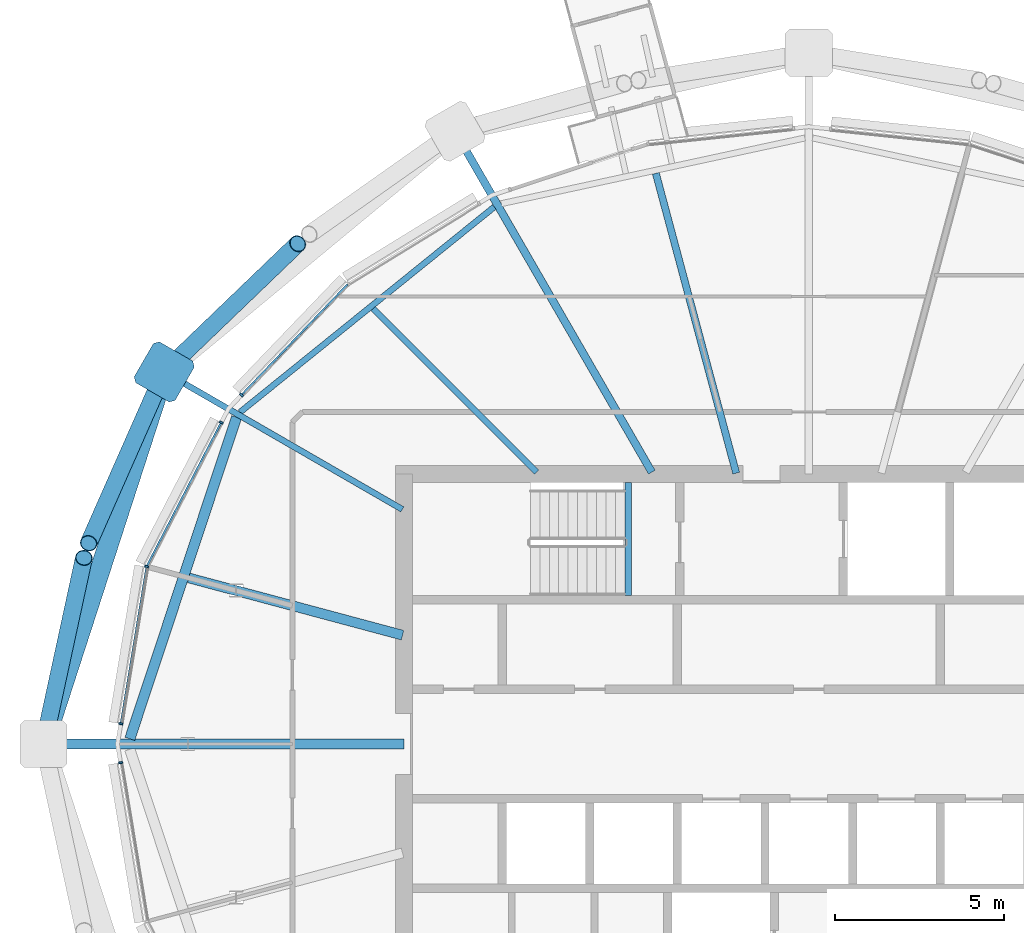
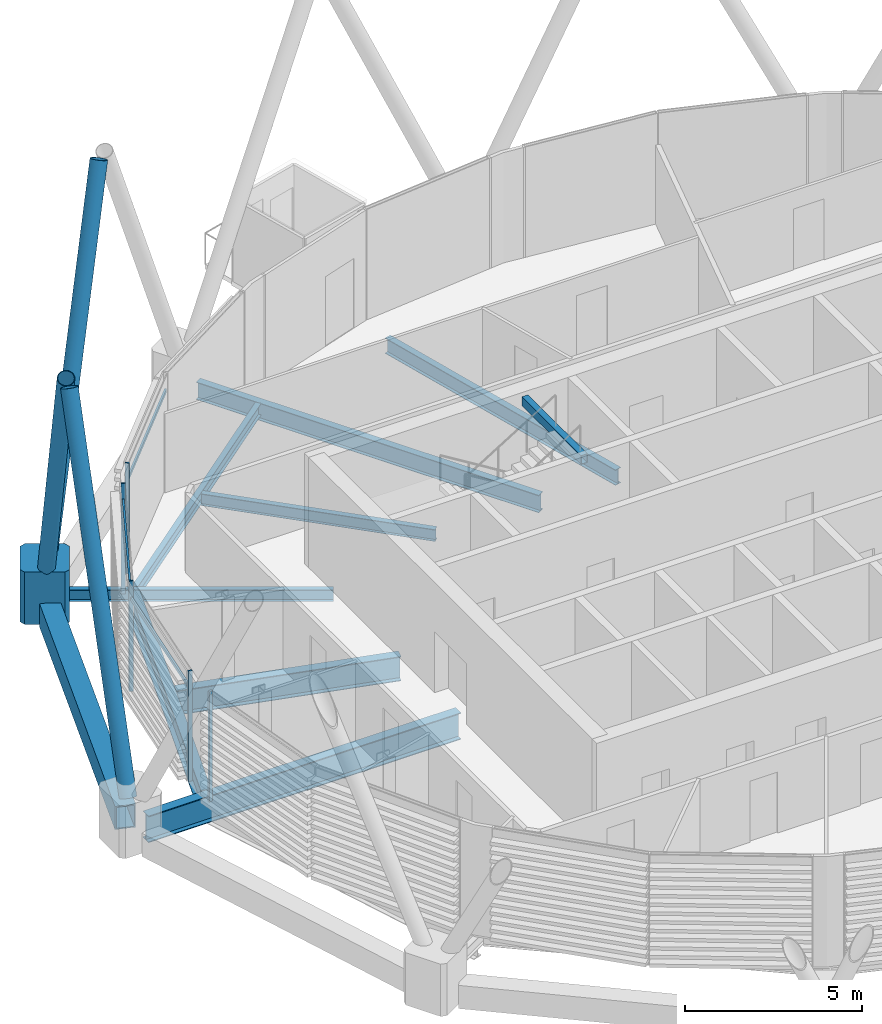
# One storey, part 5 of 32: 12 members, 10 beams, 1 element without a shape of its own.
"""IFC4 building model written with IfcOpenShell, lengths in metres."""

from ifc_helpers import new_model, si_unit, direction, frame, origin, origin_2d, place, context, subcontext, project, spatial, polyline, rectangle, hollow_rectangle, hollow_circle, i_section, outline, extrude, material, material_profile, profile_set, type_object, element, aggregate, save


model = new_model("IFC4")

# Units and contexts
model_context = context("Model", 3, precision=1e-05, world=origin(), true_north=direction((0.0, 1.0)))
body_context = subcontext(model_context, "Body", "Model", "MODEL_VIEW")
ifc_project = project(units=[si_unit("LENGTHUNIT", "METRE"), si_unit("AREAUNIT", "SQUARE_METRE"), si_unit("VOLUMEUNIT", "CUBIC_METRE"), si_unit("PLANEANGLEUNIT", "RADIAN"), si_unit("MASSUNIT", "GRAM", prefix="KILO")], contexts=[model_context])

# Site, building, storey
site_placement = place(None, origin())
site = spatial("IfcSite", under=ifc_project, at=site_placement, CompositionType="ELEMENT")
building_placement = place(site_placement, origin())
building = spatial("IfcBuilding", under=site, at=building_placement, Name="Rimbun Link Towers", CompositionType="ELEMENT")
storey_placement = place(building_placement, frame((0.0, 0.0, 233.300048828125)))
storey = spatial("IfcBuildingStorey", under=building, at=storey_placement, Name="L57", CompositionType="ELEMENT", Elevation=233.300048828125)

# Curtain wall, members
ifc_material_1 = material(Name="Aluminium 6063-T6 and low-iron glass", Category="aluminium")
curtain_wall_type = type_object("IfcCurtainWallType", Name="CW1-Z4 unitised vision wall (zone 4)", PredefinedType="NOTDEFINED", material=ifc_material_1)
curtain_wall_placement = place(storey_placement, origin())
curtain_wall = element("IfcCurtainWall", 1, at=curtain_wall_placement, inside=storey, type_object=curtain_wall_type, Name="CW1 L57 T1", PredefinedType="NOTDEFINED")
ifc_material_2 = material(Name="Aluminium 6063-T6", Category="aluminium")
ifc_material_profile_1 = material_profile(ifc_material_2, rectangle(XDim=0.1201171875, YDim=0.06005859375, at=origin_2d()), Name="MULLION 60X120")
ifc_profile_set_1 = profile_set([ifc_material_profile_1], Name="Aluminium 6063-T6")
member_type_1 = type_object("IfcMemberType", Name="CW1 mullion 60X120", PredefinedType="MULLION", material=ifc_profile_set_1)
member_1_placement = place(storey_placement, frame((-48.564453125, 10.341064453125, 0.0), z_axis=(0.0, 0.0, 1.0), x_axis=(-0.721841631662, 0.692058277025, 0.0)))
member_1 = element("IfcMember", 2, at=member_1_placement, type_object=member_type_1, Name="CW1 mullion", PredefinedType="MULLION", context=body_context, shape_type="SweptSolid", body=[
    extrude(rectangle(XDim=0.1201171875, YDim=0.06005859375, at=origin_2d()), origin(), (0.0, 0.0, 1.0), 3.800048828125),
])
member_2_placement = place(storey_placement, frame((-51.3701171875, 5.260986328125, 0.0), z_axis=(0.0, 0.0, 1.0), x_axis=(-0.949161339918, 0.314790010651, 0.0)))
member_2 = element("IfcMember", 3, at=member_2_placement, type_object=member_type_1, Name="CW1 mullion", PredefinedType="MULLION", context=body_context, shape_type="SweptSolid", body=[
    extrude(rectangle(XDim=0.1201171875, YDim=0.06005859375, at=origin_2d()), origin(), (0.0, 0.0, 1.0), 3.800048828125),
])
member_3_placement = place(storey_placement, frame((-49.161865234375, 9.530517578125, 0.0), z_axis=(0.0, 0.0, 1.0), x_axis=(-0.888151937067, 0.459549928391, 0.0)))
member_3 = element("IfcMember", 4, at=member_3_placement, type_object=member_type_1, Name="CW1 mullion", PredefinedType="MULLION", context=body_context, shape_type="SweptSolid", body=[
    extrude(rectangle(XDim=0.1201171875, YDim=0.06005859375, at=origin_2d()), origin(), (0.0, 0.0, 1.0), 3.800048828125),
])
member_4_placement = place(storey_placement, frame((-52.136962890625, 0.601806640625, 0.0), z_axis=(0.0, 0.0, 1.0), x_axis=(-0.986747736898, 0.162261836936, 0.0)))
member_4 = element("IfcMember", 5, at=member_4_placement, type_object=member_type_1, Name="CW1 mullion", PredefinedType="MULLION", context=body_context, shape_type="SweptSolid", body=[
    extrude(rectangle(XDim=0.1201171875, YDim=0.06005859375, at=origin_2d()), origin(), (0.0, 0.0, 1.0), 3.800048828125),
])
member_5_placement = place(storey_placement, frame((-52.145263671875, -0.552490234375, 0.0), z_axis=(0.0, 0.0, 1.0), x_axis=(-0.986747736898, -0.162261836936, 0.0)))
member_5 = element("IfcMember", 6, at=member_5_placement, type_object=member_type_1, Name="CW1 mullion", PredefinedType="MULLION", context=body_context, shape_type="SweptSolid", body=[
    extrude(rectangle(XDim=0.1201171875, YDim=0.06005859375, at=origin_2d()), origin(), (0.0, 0.0, 1.0), 3.800048828125),
])
ifc_material_3 = material(Name="Aluminium 6063-T6", Category="aluminium")
ifc_material_profile_2 = material_profile(ifc_material_3, rectangle(XDim=0.06005859375, YDim=0.1201171875, at=origin_2d()), Name="TRANSOM 60X120")
ifc_profile_set_2 = profile_set([ifc_material_profile_2], Name="Aluminium 6063-T6")
member_type_2 = type_object("IfcMemberType", Name="CW1 transom 60X120", PredefinedType="USERDEFINED", material=ifc_profile_set_2)
member_6_placement = place(storey_placement, frame((-48.542236328125, 10.361328125, 3.199951171875), z_axis=(0.692060295755, 0.72183969622, 0.0), x_axis=(-0.72183969622, 0.692060295755, 0.0)))
member_6 = element("IfcMember", 7, at=member_6_placement, type_object=member_type_2, Name="CW1 transom", ObjectType="TRANSOM", PredefinedType="USERDEFINED", context=body_context, shape_type="SweptSolid", body=[
    extrude(rectangle(XDim=0.06005859375, YDim=0.1201171875, at=origin_2d()), origin(), (0.0, 0.0, 1.0), 4.517333984375),
])
member_7_placement = place(storey_placement, frame((-51.350830078125, 5.29541015625, 3.199951171875), z_axis=(0.459539280034, 0.888157446687, 0.0), x_axis=(-0.888157446687, 0.459539280034, 0.0)))
member_7 = element("IfcMember", 8, at=member_7_placement, type_object=member_type_2, Name="CW1 transom", ObjectType="TRANSOM", PredefinedType="USERDEFINED", context=body_context, shape_type="SweptSolid", body=[
    extrude(rectangle(XDim=0.06005859375, YDim=0.1201171875, at=origin_2d()), origin(), (0.0, 0.0, 1.0), 4.7373046875),
])
member_8_placement = place(storey_placement, frame((-52.130126953125, 0.631103515625, 3.199951171875), z_axis=(0.162254195268, 0.986748993472, 0.0), x_axis=(-0.986748993472, 0.162254195268, 0.0)))
member_8 = element("IfcMember", 9, at=member_8_placement, type_object=member_type_2, Name="CW1 transom", ObjectType="TRANSOM", PredefinedType="USERDEFINED", context=body_context, shape_type="SweptSolid", body=[
    extrude(rectangle(XDim=0.06005859375, YDim=0.1201171875, at=origin_2d()), origin(), (0.0, 0.0, 1.0), 4.652587890625),
])
aggregate(curtain_wall, [member_1, member_2, member_3, member_4, member_5, member_6, member_7, member_8])

# Members
ifc_material_4 = material(Name="Steel S355J2H", Category="steel")
ifc_material_profile_3 = material_profile(ifc_material_4, hollow_circle(Radius=0.25390625, WallThickness=0.02001953125, at=origin_2d()), Name="Diagrid diagonal CHS 508x20")
ifc_profile_set_3 = profile_set([ifc_material_profile_3], Name="Steel S355J2H")
member_type_3 = type_object("IfcMemberType", Name="Diagrid diagonal CHS 508x20", PredefinedType="BRACE", material=ifc_profile_set_3)
member_9_placement = place(storey_placement, frame((-50.688720703125, 11.1826171875, 0.447021484375), z_axis=(0.322916287318, 0.310241495782, 0.894133818665), x_axis=(-0.692812847263, 0.7211174375, 0.0)))
element("IfcMember", 10, at=member_9_placement, inside=storey, type_object=member_type_3, Name="Diagrid diagonal T1 L57-L60 10a", PredefinedType="BRACE", context=body_context, shape_type="SweptSolid", body=[
    extrude(hollow_circle(Radius=0.25390625, WallThickness=0.02001953125, at=origin_2d()), origin(), (0.0, 0.0, 1.0), 11.749755859375),
])
member_10_placement = place(storey_placement, frame((-50.94140625, 10.82080078125, 0.446044921875), z_axis=(-0.182507496072, -0.413512328143, 0.892019376668), x_axis=(0.91485603395, -0.40378018419, 0.0)))
element("IfcMember", 11, at=member_10_placement, inside=storey, type_object=member_type_3, Name="Diagrid diagonal T1 L57-L60 10b", PredefinedType="BRACE", context=body_context, shape_type="SweptSolid", body=[
    extrude(hollow_circle(Radius=0.25390625, WallThickness=0.02001953125, at=origin_2d()), origin(), (0.0, 0.0, 1.0), 11.77978515625),
])
member_11_placement = place(storey_placement, frame((-54.376708984375, 0.223876953125, 0.4443359375), z_axis=(0.096890857794, 0.447766657538, 0.888885359353), x_axis=(-0.977379685069, 0.211492201311, 0.0)))
element("IfcMember", 12, at=member_11_placement, inside=storey, type_object=member_type_3, Name="Diagrid diagonal T1 L57-L60 12a", PredefinedType="BRACE", context=body_context, shape_type="SweptSolid", body=[
    extrude(hollow_circle(Radius=0.25390625, WallThickness=0.02001953125, at=origin_2d()), origin(), (0.0, 0.0, 1.0), 11.8251953125),
])
ifc_material_5 = material(Name="Cast steel G20Mn5+QT, Rp0.2 300 MPa", Category="steel")
ifc_material_profile_4 = material_profile(ifc_material_5, outline(polyline([(0.699951171875, -0.570068359375), (0.699951171875, 0.570068359375), (0.570068359375, 0.699951171875), (-0.570068359375, 0.699951171875), (-0.699951171875, 0.570068359375), (-0.699951171875, -0.570068359375), (-0.570068359375, -0.699951171875), (0.570068359375, -0.699951171875), (0.699951171875, -0.570068359375)])), Name="NODE 1400x1400")
ifc_profile_set_4 = profile_set([ifc_material_profile_4], Name="Cast steel G20Mn5+QT, Rp0.2 300 MPa")
member_type_4 = type_object("IfcMemberType", Name="Diagrid node cast 1400", PredefinedType="USERDEFINED", material=ifc_profile_set_4)
member_12_placement = place(storey_placement, frame((-50.850341796875, 11.027587890625, -0.900146484375), z_axis=(0.0, 0.0, 1.0), x_axis=(-0.866025403784, 0.5, 0.0)))
element("IfcMember", 13, at=member_12_placement, inside=storey, type_object=member_type_4, Name="Diagrid node L57 10", ObjectType="Diagrid node", PredefinedType="USERDEFINED", context=body_context, shape_type="SweptSolid", body=[
    extrude(outline(polyline([(0.699951171875, -0.570068359375), (0.699951171875, 0.570068359375), (0.570068359375, 0.699951171875), (-0.570068359375, 0.699951171875), (-0.699951171875, 0.570068359375), (-0.699951171875, -0.570068359375), (-0.570068359375, -0.699951171875), (0.570068359375, -0.699951171875), (0.699951171875, -0.570068359375)])), origin(), (0.0, 0.0, 1.0), 1.800048828125),
])

# Beams
ifc_material_6 = material(Name="Steel S355J2", Category="steel")
ifc_material_profile_5 = material_profile(ifc_material_6, hollow_rectangle(XDim=0.60009765625, YDim=0.800048828125, WallThickness=0.0400390625, at=origin_2d()), Name="Exoskeleton ring girder BOX 600x800x40")
ifc_profile_set_5 = profile_set([ifc_material_profile_5], Name="Steel S355J2")
beam_type_1 = type_object("IfcBeamType", Name="Exoskeleton ring girder BOX 600x800x40", PredefinedType="BEAM", material=ifc_profile_set_5)
beam_1_placement = place(storey_placement, frame((-51.066162109375, 10.36181640625, -0.56005859375), z_axis=(-0.308369969629, -0.951266504104, 0.0), x_axis=(0.951266504104, -0.308369969629, 0.0)))
element("IfcBeam", 14, at=beam_1_placement, inside=storey, type_object=beam_type_1, Name="Exoskeleton ring girder L57 05", PredefinedType="BEAM", context=body_context, shape_type="SweptSolid", body=[
    extrude(hollow_rectangle(XDim=0.60009765625, YDim=0.800048828125, WallThickness=0.0400390625, at=origin_2d()), origin(), (0.0, 0.0, 1.0), 10.192626953125),
])
ifc_material_7 = material(Name="Steel S355J2", Category="steel")
ifc_material_profile_6 = material_profile(ifc_material_7, hollow_rectangle(XDim=0.199951171875, YDim=0.300048828125, WallThickness=0.011962890625, at=origin_2d()), Name="BOX 300x200x12")
ifc_profile_set_6 = profile_set([ifc_material_profile_6], Name="Steel S355J2")
beam_type_2 = type_object("IfcBeamType", Name="Stair trimmer beam BOX 300x200x12", PredefinedType="BEAM", material=ifc_profile_set_6)
beam_2_placement = place(storey_placement, frame((-37.10009765625, 7.75, 3.510009765625), z_axis=(0.0, -1.0, 0.0), x_axis=(1.0, 0.0, 0.0)))
element("IfcBeam", 15, at=beam_2_placement, inside=storey, type_object=beam_type_2, Name="L57 ST1 stair beam 1", PredefinedType="BEAM", context=body_context, shape_type="SweptSolid", body=[
    extrude(hollow_rectangle(XDim=0.199951171875, YDim=0.300048828125, WallThickness=0.011962890625, at=origin_2d()), origin(), (0.0, 0.0, 1.0), 3.35009765625),
])
ifc_material_8 = material(Name="Steel S355J2", Category="steel")
ifc_material_profile_7 = material_profile(ifc_material_8, i_section(OverallWidth=0.177978515625, OverallDepth=0.406494140625, WebThickness=0.0078125, FlangeThickness=0.0126953125, at=origin_2d()), Name="UB 406x178x60")
ifc_profile_set_7 = profile_set([ifc_material_profile_7], Name="Steel S355J2")
beam_type_3 = type_object("IfcBeamType", Name="UB 406x178x60", PredefinedType="BEAM", material=ifc_profile_set_7)
beam_3_placement = place(storey_placement, frame((-39.813720703125, 8.063720703125, -0.34326171875), z_axis=(-0.707106781187, 0.707106781187, 0.0), x_axis=(-0.707106781187, -0.707106781187, 0.0)))
element("IfcBeam", 16, at=beam_3_placement, inside=storey, type_object=beam_type_3, Name="Radial beam T1 L57 09", PredefinedType="BEAM", context=body_context, shape_type="SweptSolid", body=[
    extrude(i_section(OverallWidth=0.177978515625, OverallDepth=0.406494140625, WebThickness=0.0078125, FlangeThickness=0.0126953125, at=origin_2d()), origin(), (0.0, 0.0, 1.0), 6.84814453125),
])
beam_4_placement = place(storey_placement, frame((-43.79541015625, 6.954345703125, -0.34326171875), z_axis=(-0.866018094706, 0.500012659481, 0.0), x_axis=(-0.500012659481, -0.866018094706, 0.0)))
element("IfcBeam", 17, at=beam_4_placement, inside=storey, type_object=beam_type_3, Name="Radial beam T1 L57 10", PredefinedType="BEAM", context=body_context, shape_type="SweptSolid", body=[
    extrude(i_section(OverallWidth=0.177978515625, OverallDepth=0.406494140625, WebThickness=0.0078125, FlangeThickness=0.0126953125, at=origin_2d()), origin(), (0.0, 0.0, 1.0), 7.646240234375),
])
beam_5_placement = place(storey_placement, frame((-41.071533203125, 15.915771484375, -0.34326171875), z_axis=(-0.778073442761, -0.628173318178, 0.0), x_axis=(0.628173318178, -0.778073442761, 0.0)))
element("IfcBeam", 18, at=beam_5_placement, inside=storey, type_object=beam_type_3, Name="Edge beam T1 L57 08-10", PredefinedType="BEAM", context=body_context, shape_type="SweptSolid", body=[
    extrude(i_section(OverallWidth=0.177978515625, OverallDepth=0.406494140625, WebThickness=0.0078125, FlangeThickness=0.0126953125, at=origin_2d()), origin(), (0.0, 0.0, 1.0), 9.680908203125),
])
ifc_material_9 = material(Name="Steel S355J2", Category="steel")
ifc_material_profile_8 = material_profile(ifc_material_9, i_section(OverallWidth=0.209228515625, OverallDepth=0.533203125, WebThickness=0.010009765625, FlangeThickness=0.015625, at=origin_2d()), Name="UB 533x210x92")
ifc_profile_set_8 = profile_set([ifc_material_profile_8], Name="Steel S355J2")
beam_type_4 = type_object("IfcBeamType", Name="UB 533x210x92", PredefinedType="BEAM", material=ifc_profile_set_8)
beam_6_placement = place(storey_placement, frame((-33.901123046875, 8.028076171875, -0.406494140625), z_axis=(-0.2588320469, 0.965922342374, 0.0), x_axis=(-0.965922342374, -0.2588320469, 0.0)))
element("IfcBeam", 19, at=beam_6_placement, inside=storey, type_object=beam_type_4, Name="Radial beam T1 L57 07", PredefinedType="BEAM", context=body_context, shape_type="SweptSolid", body=[
    extrude(i_section(OverallWidth=0.209228515625, OverallDepth=0.533203125, WebThickness=0.010009765625, FlangeThickness=0.015625, at=origin_2d()), origin(), (0.0, 0.0, 1.0), 9.198486328125),
])
ifc_material_10 = material(Name="Steel S355J2", Category="steel")
ifc_material_profile_9 = material_profile(ifc_material_10, i_section(OverallWidth=0.2275390625, OverallDepth=0.6025390625, WebThickness=0.010498046875, FlangeThickness=0.014892578125, at=origin_2d()), Name="UB 610x229x101")
ifc_profile_set_9 = profile_set([ifc_material_profile_9], Name="Steel S355J2")
beam_type_5 = type_object("IfcBeamType", Name="UB 610x229x101", PredefinedType="BEAM", material=ifc_profile_set_9)
beam_7_placement = place(storey_placement, frame((-36.402099609375, 8.057861328125, -0.44140625), z_axis=(-0.500001378502, 0.866024607905, 0.0), x_axis=(-0.866024607905, -0.500001378502, 0.0)))
element("IfcBeam", 20, at=beam_7_placement, inside=storey, type_object=beam_type_5, Name="Radial beam T1 L57 08", PredefinedType="BEAM", context=body_context, shape_type="SweptSolid", body=[
    extrude(i_section(OverallWidth=0.2275390625, OverallDepth=0.6025390625, WebThickness=0.010498046875, FlangeThickness=0.014892578125, at=origin_2d()), origin(), (0.0, 0.0, 1.0), 11.1630859375),
])
ifc_material_11 = material(Name="Steel S355J2", Category="steel")
ifc_material_profile_10 = material_profile(ifc_material_11, i_section(OverallWidth=0.29248046875, OverallDepth=0.8408203125, WebThickness=0.0126953125, FlangeThickness=0.021728515625, at=origin_2d()), Name="UB 838x292x194")
ifc_profile_set_10 = profile_set([ifc_material_profile_10], Name="Steel S355J2")
beam_type_6 = type_object("IfcBeamType", Name="UB 838x292x194", PredefinedType="BEAM", material=ifc_profile_set_10)
beam_8_placement = place(storey_placement, frame((-43.788818359375, 3.225830078125, -0.560302734375), z_axis=(-0.965929781148, 0.258804284917, 0.0), x_axis=(-0.258804284917, -0.965929781148, 0.0)))
element("IfcBeam", 21, at=beam_8_placement, inside=storey, type_object=beam_type_6, Name="Radial beam T1 L57 11", PredefinedType="BEAM", context=body_context, shape_type="SweptSolid", body=[
    extrude(i_section(OverallWidth=0.29248046875, OverallDepth=0.8408203125, WebThickness=0.0126953125, FlangeThickness=0.021728515625, at=origin_2d()), origin(), (0.0, 0.0, 1.0), 6.56103515625),
])
ifc_material_12 = material(Name="Steel S355J2", Category="steel")
ifc_material_profile_11 = material_profile(ifc_material_12, i_section(OverallWidth=0.305419921875, OverallDepth=0.91845703125, WebThickness=0.017333984375, FlangeThickness=0.02783203125, at=origin_2d()), Name="UB 914x305x253")
ifc_profile_set_11 = profile_set([ifc_material_profile_11], Name="Steel S355J2")
beam_type_7 = type_object("IfcBeamType", Name="UB 914x305x253", PredefinedType="BEAM", material=ifc_profile_set_11)
beam_9_placement = place(storey_placement, frame((-43.7509765625, 0.0, -0.599365234375), z_axis=(-1.0, 0.0, 0.0), x_axis=(0.0, -1.0, 0.0)))
element("IfcBeam", 22, at=beam_9_placement, inside=storey, type_object=beam_type_7, Name="Radial beam T1 L57 12", PredefinedType="BEAM", context=body_context, shape_type="SweptSolid", body=[
    extrude(i_section(OverallWidth=0.305419921875, OverallDepth=0.91845703125, WebThickness=0.017333984375, FlangeThickness=0.02783203125, at=origin_2d()), origin(), (0.0, 0.0, 1.0), 10.17431640625),
])
beam_10_placement = place(storey_placement, frame((-48.707763671875, 9.686767578125, -0.599365234375), z_axis=(-0.31492217795, -0.949117496328, 0.0), x_axis=(0.949117496328, -0.31492217795, 0.0)))
element("IfcBeam", 23, at=beam_10_placement, inside=storey, type_object=beam_type_7, Name="Edge beam T1 L57 10-12", PredefinedType="BEAM", context=body_context, shape_type="SweptSolid", body=[
    extrude(i_section(OverallWidth=0.305419921875, OverallDepth=0.91845703125, WebThickness=0.017333984375, FlangeThickness=0.02783203125, at=origin_2d()), origin(), (0.0, 0.0, 1.0), 10.0439453125),
])

save(model, "model.ifc")
